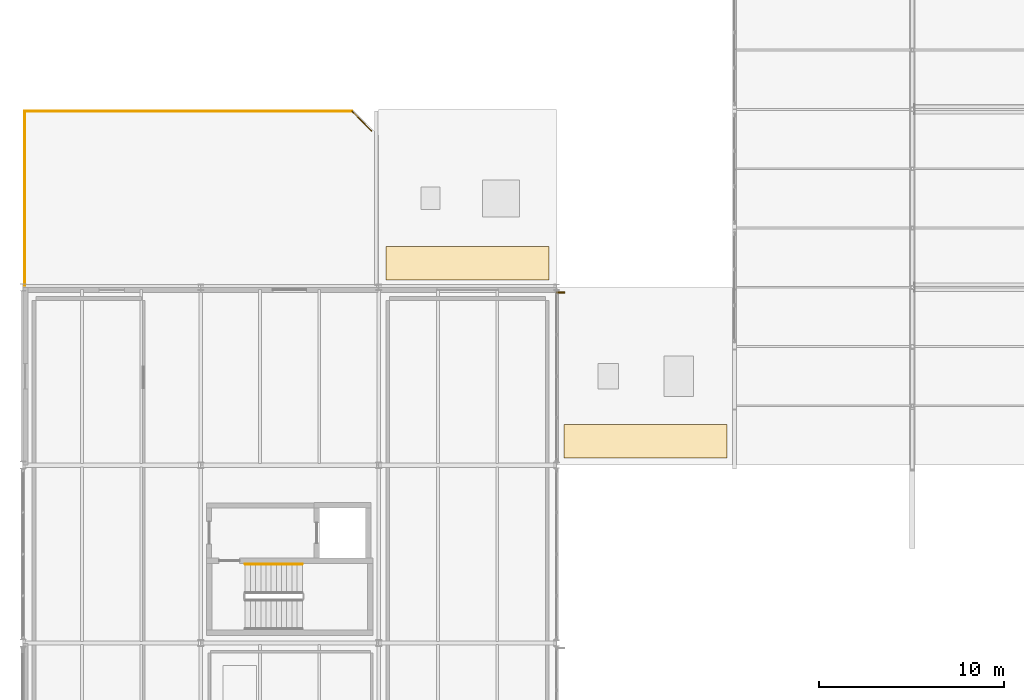
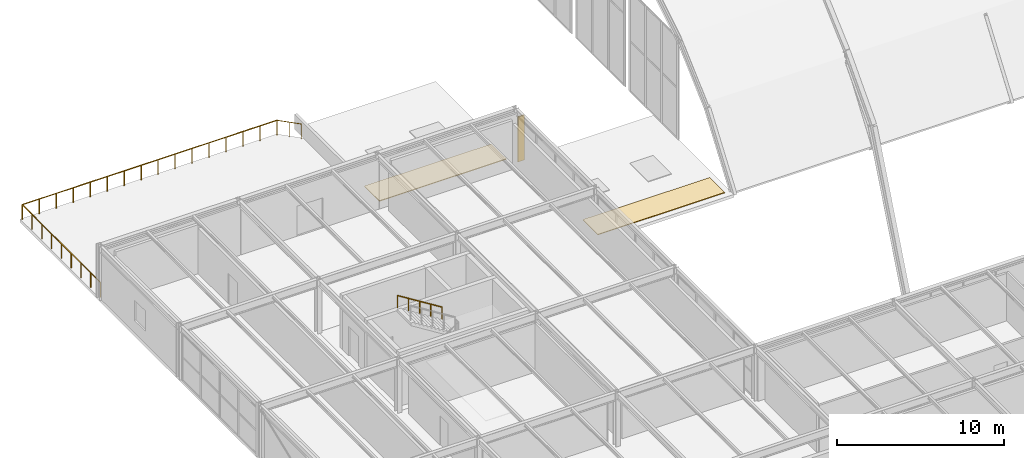
# One storey, part 124 of 126: 4 railings, 2 coverings, 1 shading device.
"""IFC4 building model written with IfcOpenShell, lengths in metres."""

from ifc_helpers import new_model, si_unit, direction, frame, origin, origin_2d, place, context, subcontext, project, spatial, polyline, rectangle, circle, outline, extrude, material, layer, layer_set, type_object, element, save


model = new_model("IFC4")

# Units and contexts
model_context = context("Model", 3, precision=1e-05, world=origin(), true_north=direction((0.0, 1.0)))
body_context = subcontext(model_context, "Body", "Model", "MODEL_VIEW")
ifc_project = project(units=[si_unit("LENGTHUNIT", "METRE"), si_unit("AREAUNIT", "SQUARE_METRE"), si_unit("VOLUMEUNIT", "CUBIC_METRE"), si_unit("PLANEANGLEUNIT", "RADIAN"), si_unit("MASSUNIT", "GRAM", prefix="KILO")], contexts=[model_context])

# Site, building, storey
site_placement = place(None, origin())
site = spatial("IfcSite", under=ifc_project, at=site_placement, CompositionType="ELEMENT")
building_placement = place(site_placement, origin())
building = spatial("IfcBuilding", under=site, at=building_placement, Name="Coralgate Yard Interchange", CompositionType="ELEMENT")
storey_placement = place(building_placement, frame((0.0, 0.0, 10.5)))
storey = spatial("IfcBuildingStorey", under=building, at=storey_placement, Name="L02", CompositionType="ELEMENT", Elevation=10.5)

# Coverings
ifc_material_1 = material(Name="High-albedo solar-reflective TPO coastal roof membrane")
ifc_layer = layer(ifc_material_1, 0.050048828125)
ifc_layer_set = layer_set([ifc_layer], Name="High-albedo solar-reflective TPO coastal roof membrane")
covering_type = type_object("IfcCoveringType", Name="COV-ROF1", PredefinedType="ROOFING", material=ifc_layer_set)
covering_1_placement = place(storey_placement, origin())
element("IfcCovering", 1, at=covering_1_placement, inside=storey, type_object=covering_type, Name="L02 high-albedo TPO roof membrane 3", PredefinedType="ROOFING", context=body_context, shape_type="SweptSolid", body=[
    extrude(outline(polyline([(19.60009765625, 48.39990234375), (28.39990234375, 48.39990234375), (28.39990234375, 50.199951171875), (19.60009765625, 50.199951171875), (19.60009765625, 48.39990234375)])), origin(), (0.0, 0.0, 1.0), 0.050048828125),
])
covering_2_placement = place(storey_placement, origin())
element("IfcCovering", 2, at=covering_2_placement, inside=storey, type_object=covering_type, Name="L02 high-albedo TPO roof membrane 4", PredefinedType="ROOFING", context=body_context, shape_type="SweptSolid", body=[
    extrude(outline(polyline([(29.199951171875, 38.800048828125), (38.0, 38.800048828125), (38.0, 40.60009765625), (29.199951171875, 40.60009765625), (29.199951171875, 38.800048828125)])), origin(), (0.0, 0.0, 1.0), 0.050048828125),
])

# Railings
ifc_material_2 = material(Name="Galvanised and powder-coated steel guardrail", Category="steel")
railing_type_1 = type_object("IfcRailingType", Name="RLG-GR1100", PredefinedType="GUARDRAIL", material=ifc_material_2)
railing_1_placement = place(storey_placement, frame((17.758544921875, 57.5, 0.0)))
element("IfcRailing", 3, at=railing_1_placement, inside=storey, type_object=railing_type_1, Name="L02 coastal veranda perimeter guardrail 1", PredefinedType="GUARDRAIL", context=body_context, shape_type="SweptSolid", body=[
    extrude(circle(Radius=0.02392578125, at=origin_2d()), frame((0.0, 0.0, 1.0810546875), z_axis=(0.707188099889, -0.707025453132, 0.0), x_axis=(0.707025453132, 0.707188099889, 0.0)), (0.0, 0.0, 1.0), 1.5009765625),
    extrude(circle(Radius=0.02099609375, at=origin_2d()), origin(), (0.0, 0.0, 1.0), 1.056396484375),
    extrude(circle(Radius=0.02099609375, at=origin_2d()), frame((0.53076171875, -0.53076171875, 0.0)), (0.0, 0.0, 1.0), 1.056396484375),
    extrude(circle(Radius=0.02099609375, at=origin_2d()), frame((1.0615234375, -1.061279296875, 0.0)), (0.0, 0.0, 1.0), 1.056396484375),
])
railing_2_placement = place(storey_placement, frame((0.10009765625, 48.10009765625, 0.0)))
element("IfcRailing", 4, at=railing_2_placement, inside=storey, type_object=railing_type_1, Name="L02 coastal veranda perimeter guardrail 4", PredefinedType="GUARDRAIL", context=body_context, shape_type="SweptSolid", body=[
    extrude(circle(Radius=0.02392578125, at=origin_2d()), frame((0.0, 0.0, 1.0810546875), z_axis=(0.0, 1.0, 0.0), x_axis=(-1.0, 0.0, 0.0)), (0.0, 0.0, 1.0), 9.39990234375),
    extrude(circle(Radius=0.02099609375, at=origin_2d()), origin(), (0.0, 0.0, 1.0), 1.056396484375),
    extrude(circle(Radius=0.02099609375, at=origin_2d()), frame((0.0, 1.175048828125, 0.0)), (0.0, 0.0, 1.0), 1.056396484375),
    extrude(circle(Radius=0.02099609375, at=origin_2d()), frame((0.0, 2.35009765625, 0.0)), (0.0, 0.0, 1.0), 1.056396484375),
    extrude(circle(Radius=0.02099609375, at=origin_2d()), frame((0.0, 3.52490234375, 0.0)), (0.0, 0.0, 1.0), 1.056396484375),
    extrude(circle(Radius=0.02099609375, at=origin_2d()), frame((0.0, 4.699951171875, 0.0)), (0.0, 0.0, 1.0), 1.056396484375),
    extrude(circle(Radius=0.02099609375, at=origin_2d()), frame((0.0, 5.875, 0.0)), (0.0, 0.0, 1.0), 1.056396484375),
    extrude(circle(Radius=0.02099609375, at=origin_2d()), frame((0.0, 7.0498046875, 0.0)), (0.0, 0.0, 1.0), 1.056396484375),
    extrude(circle(Radius=0.02099609375, at=origin_2d()), frame((0.0, 8.224853515625, 0.0)), (0.0, 0.0, 1.0), 1.056396484375),
    extrude(circle(Radius=0.02099609375, at=origin_2d()), frame((0.0, 9.39990234375, 0.0)), (0.0, 0.0, 1.0), 1.056396484375),
])
railing_3_placement = place(storey_placement, frame((0.10009765625, 57.5, 0.0)))
element("IfcRailing", 5, at=railing_3_placement, inside=storey, type_object=railing_type_1, Name="L02 coastal veranda perimeter guardrail 5", PredefinedType="GUARDRAIL", context=body_context, shape_type="SweptSolid", body=[
    extrude(circle(Radius=0.02392578125, at=origin_2d()), frame((0.0, 0.0, 1.0810546875), z_axis=(1.0, 0.0, 0.0), x_axis=(0.0, 1.0, 0.0)), (0.0, 0.0, 1.0), 17.658447265625),
    extrude(circle(Radius=0.02099609375, at=origin_2d()), origin(), (0.0, 0.0, 1.0), 1.056396484375),
    extrude(circle(Radius=0.02099609375, at=origin_2d()), frame((1.17724609375, 0.0, 0.0)), (0.0, 0.0, 1.0), 1.056396484375),
    extrude(circle(Radius=0.02099609375, at=origin_2d()), frame((2.3544921875, 0.0, 0.0)), (0.0, 0.0, 1.0), 1.056396484375),
    extrude(circle(Radius=0.02099609375, at=origin_2d()), frame((3.53173828125, 0.0, 0.0)), (0.0, 0.0, 1.0), 1.056396484375),
    extrude(circle(Radius=0.02099609375, at=origin_2d()), frame((4.708984375, 0.0, 0.0)), (0.0, 0.0, 1.0), 1.056396484375),
    extrude(circle(Radius=0.02099609375, at=origin_2d()), frame((5.88623046875, 0.0, 0.0)), (0.0, 0.0, 1.0), 1.056396484375),
    extrude(circle(Radius=0.02099609375, at=origin_2d()), frame((7.0634765625, 0.0, 0.0)), (0.0, 0.0, 1.0), 1.056396484375),
    extrude(circle(Radius=0.02099609375, at=origin_2d()), frame((8.24072265625, 0.0, 0.0)), (0.0, 0.0, 1.0), 1.056396484375),
    extrude(circle(Radius=0.02099609375, at=origin_2d()), frame((9.417724609375, 0.0, 0.0)), (0.0, 0.0, 1.0), 1.056396484375),
    extrude(circle(Radius=0.02099609375, at=origin_2d()), frame((10.594970703125, 0.0, 0.0)), (0.0, 0.0, 1.0), 1.056396484375),
    extrude(circle(Radius=0.02099609375, at=origin_2d()), frame((11.772216796875, 0.0, 0.0)), (0.0, 0.0, 1.0), 1.056396484375),
    extrude(circle(Radius=0.02099609375, at=origin_2d()), frame((12.949462890625, 0.0, 0.0)), (0.0, 0.0, 1.0), 1.056396484375),
    extrude(circle(Radius=0.02099609375, at=origin_2d()), frame((14.126708984375, 0.0, 0.0)), (0.0, 0.0, 1.0), 1.056396484375),
    extrude(circle(Radius=0.02099609375, at=origin_2d()), frame((15.303955078125, 0.0, 0.0)), (0.0, 0.0, 1.0), 1.056396484375),
    extrude(circle(Radius=0.02099609375, at=origin_2d()), frame((16.481201171875, 0.0, 0.0)), (0.0, 0.0, 1.0), 1.056396484375),
    extrude(circle(Radius=0.02099609375, at=origin_2d()), frame((17.658447265625, 0.0, 0.0)), (0.0, 0.0, 1.0), 1.056396484375),
])
ifc_material_3 = material(Name="Grade 316 marine stainless steel", Category="steel")
railing_type_2 = type_object("IfcRailingType", Name="RLG-HR900", PredefinedType="HANDRAIL", material=ifc_material_3)
railing_4_placement = place(storey_placement, frame((15.080078125, 33.06005859375, 2.27490234375)))
element("IfcRailing", 6, at=railing_4_placement, inside=storey, type_object=railing_type_2, Name="L02 ST-01 stair handrail 2", PredefinedType="HANDRAIL", context=body_context, shape_type="SweptSolid", body=[
    extrude(circle(Radius=0.02392578125, at=origin_2d()), frame((0.0, 0.0, 0.8759765625), z_axis=(-0.847998304005, 0.0, 0.529998940003), x_axis=(0.0, -1.0, 0.0)), (0.0, 0.0, 1.0), 3.632080078125),
    extrude(circle(Radius=0.02099609375, at=origin_2d()), origin(), (0.0, 0.0, 1.0), 0.851318359375),
    extrude(circle(Radius=0.02099609375, at=origin_2d()), frame((-0.77001953125, 0.0, 0.481201171875)), (0.0, 0.0, 1.0), 0.851318359375),
    extrude(circle(Radius=0.02099609375, at=origin_2d()), frame((-1.5400390625, 0.0, 0.96240234375)), (0.0, 0.0, 1.0), 0.851318359375),
    extrude(circle(Radius=0.02099609375, at=origin_2d()), frame((-2.31005859375, 0.0, 1.44384765625)), (0.0, 0.0, 1.0), 0.851318359375),
    extrude(circle(Radius=0.02099609375, at=origin_2d()), frame((-3.080078125, 0.0, 1.925048828125)), (0.0, 0.0, 1.0), 0.851318359375),
])

# Shading device
ifc_material_4 = material(Name="Anodised coastal aluminium vertical brise-soleil blade", Category="aluminium")
shading_device_type = type_object("IfcShadingDeviceType", Name="SHD-BS1", PredefinedType="SHUTTER", material=ifc_material_4)
shading_device_placement = place(storey_placement, frame((29.02001953125, 47.72998046875, 0.10009765625), z_axis=(0.0, 0.0, 1.0), x_axis=(0.0, -1.0, 0.0)))
element("IfcShadingDevice", 7, at=shading_device_placement, inside=storey, type_object=shading_device_type, Name="L02 coastal aluminium brise-soleil fin E-2-4", PredefinedType="SHUTTER", context=body_context, shape_type="SweptSolid", body=[
    extrude(rectangle(XDim=0.080078125, YDim=0.449951171875, at=origin_2d()), origin(), (0.0, 0.0, 1.0), 3.29296875),
])

save(model, "model.ifc")
